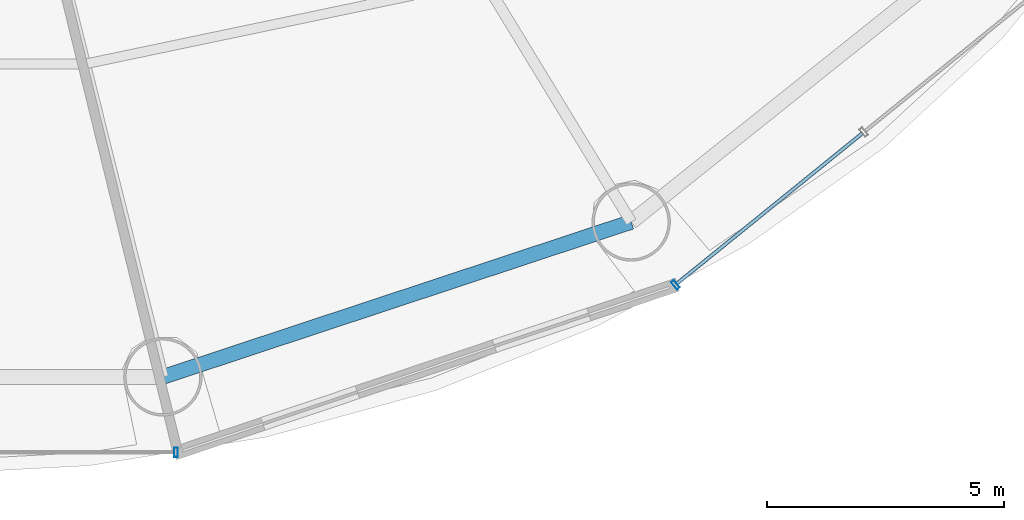
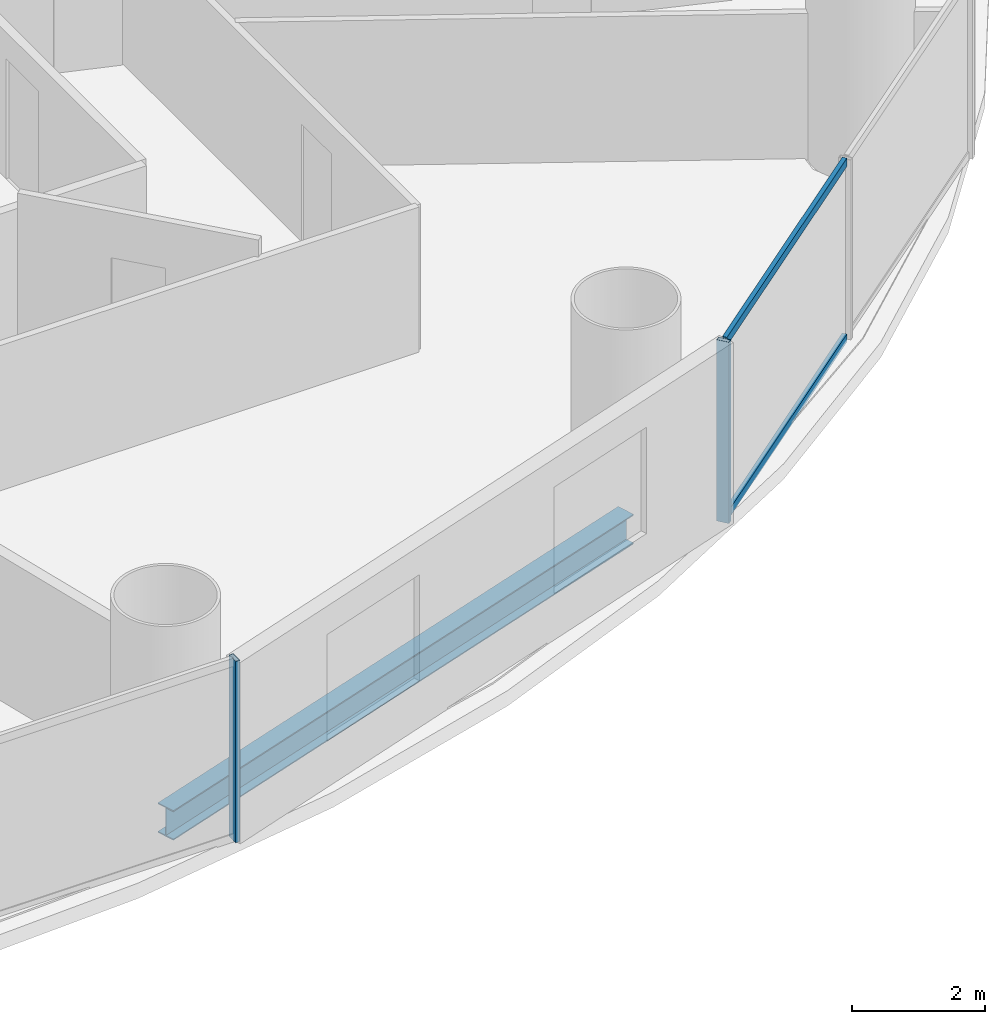
# One storey, part 10 of 29: 4 members, 1 beam, 2 elements without a shape of their own.
"""IFC4 building model written with IfcOpenShell, lengths in metres."""

from ifc_helpers import new_model, si_unit, direction, frame, origin, origin_2d, place, context, subcontext, project, spatial, hollow_rectangle, i_section, extrude, source, transform, mapped, material, material_profile, profile_set, type_object, element, aggregate, save


model = new_model("IFC4")

# Units and contexts
model_context = context("Model", 3, precision=1e-05, world=origin(), true_north=direction((-0.2419218956, 0.970295726276)))
body_context = subcontext(model_context, "Body", "Model", "MODEL_VIEW")
ifc_project = project(units=[si_unit("LENGTHUNIT", "METRE"), si_unit("AREAUNIT", "SQUARE_METRE"), si_unit("VOLUMEUNIT", "CUBIC_METRE"), si_unit("PLANEANGLEUNIT", "RADIAN"), si_unit("MASSUNIT", "GRAM", prefix="KILO")], contexts=[model_context])

# Site, building, storey
site_placement = place(None, origin())
site = spatial("IfcSite", under=ifc_project, at=site_placement, CompositionType="ELEMENT")
building_placement = place(site_placement, origin())
building = spatial("IfcBuilding", under=site, at=building_placement, Name="Cobrevalo Terracotta Tower", CompositionType="ELEMENT")
storey_placement = place(building_placement, frame((0.0, 0.0, 67.199951171875)))
storey = spatial("IfcBuildingStorey", under=building, at=storey_placement, Name="L17", CompositionType="ELEMENT", Elevation=67.199951171875)

# Beam
ifc_material_1 = material(Name="Steel S355", Category="steel")
ifc_material_profile_1 = material_profile(ifc_material_1, i_section(OverallWidth=0.31201171875, OverallDepth=0.54296875, WebThickness=0.0126953125, FlangeThickness=0.020263671875, at=origin_2d()), Name="W 530x150")
ifc_profile_set_1 = profile_set([ifc_material_profile_1], Name="Steel S355")
beam_type = type_object("IfcBeamType", Name="Structural Spandrel W 530x150 (Steel S355)", PredefinedType="SPANDREL", material=ifc_profile_set_1)
beam_placement = place(storey_placement, frame((43.335693359375, 5.369873046875, -0.551513671875), z_axis=(0.949372202648, 0.314153498848, 0.0), x_axis=(-0.314153498848, 0.949372202648, 0.0)))
element("IfcBeam", 1, at=beam_placement, inside=storey, type_object=beam_type, Name="L17 perimeter ring spandrel 13", PredefinedType="SPANDREL", context=body_context, shape_type="SweptSolid", body=[
    extrude(i_section(OverallWidth=0.31201171875, OverallDepth=0.54296875, WebThickness=0.0126953125, FlangeThickness=0.020263671875, at=origin_2d()), origin(), (0.0, 0.0, 1.0), 10.385009765625),
])

# Curtain wall, member
ifc_material_2 = material(Name="Anodized aluminium", Category="aluminium")
curtain_wall_type = type_object("IfcCurtainWallType", Name="Lower-tower unitised acoustic low-E curtain wall CW-U1", PredefinedType="NOTDEFINED", material=ifc_material_2)
curtain_wall_1_placement = place(storey_placement, origin())
curtain_wall_1 = element("IfcCurtainWall", 2, at=curtain_wall_1_placement, inside=storey, type_object=curtain_wall_type, Name="L17 curtain wall CW-L17-S12", PredefinedType="NOTDEFINED")
ifc_material_profile_2 = material_profile(ifc_material_2, hollow_rectangle(XDim=0.074951171875, YDim=0.199951171875, WallThickness=0.0048828125, at=origin_2d()), Name="CWM 75x200")
ifc_profile_set_2 = profile_set([ifc_material_profile_2], Name="Anodized aluminium")
member_type_1 = type_object("IfcMemberType", Name="Lower/mid tower unitised mullion 75x200", PredefinedType="MULLION", material=ifc_profile_set_2)
shared_shape_1 = source(origin(), body_context, "Body", "SweptSolid", [
    extrude(hollow_rectangle(XDim=0.074951171875, YDim=0.199951171875, WallThickness=0.0048828125, at=origin_2d()), origin(), (0.0, 0.0, 1.0), 3.320068359375),
])
member_1_placement = place(storey_placement, frame((43.61181640625, 3.781005859375, 0.0), z_axis=(0.0, 0.0, 1.0), x_axis=(1.0, 0.0, 0.0)))
member_1 = element("IfcMember", 3, at=member_1_placement, type_object=member_type_1, Name="CW-L17-S12 vertical mullion 03", PredefinedType="MULLION", context=body_context, shape_type="MappedRepresentation", body=[
    mapped(shared_shape_1, transform((0.0, 0.0, 0.0), scale=1.0)),
])
aggregate(curtain_wall_1, [member_1])

# Curtain wall, members
curtain_wall_2_placement = place(storey_placement, origin())
curtain_wall_2 = element("IfcCurtainWall", 4, at=curtain_wall_2_placement, inside=storey, type_object=curtain_wall_type, Name="L17 curtain wall CW-L17-S14", PredefinedType="NOTDEFINED")
member_2_placement = place(storey_placement, frame((54.1259765625, 7.310546875, 0.0), z_axis=(0.0, 0.0, 1.0), x_axis=(0.777003153187, 0.629496703675, 0.0)))
member_2 = element("IfcMember", 5, at=member_2_placement, type_object=member_type_1, Name="CW-L17-S14 vertical mullion 01", PredefinedType="MULLION", context=body_context, shape_type="MappedRepresentation", body=[
    mapped(shared_shape_1, transform((0.0, 0.0, 0.0), scale=1.0)),
])
ifc_material_profile_3 = material_profile(ifc_material_2, hollow_rectangle(XDim=0.074951171875, YDim=0.14990234375, WallThickness=0.00439453125, at=origin_2d()), Name="CWT 75x150")
ifc_profile_set_3 = profile_set([ifc_material_profile_3], Name="Anodized aluminium")
member_type_2 = type_object("IfcMemberType", Name="Tower unitised aluminium transom 75x150", PredefinedType="USERDEFINED", material=ifc_profile_set_3)
shared_shape_2 = source(origin(), body_context, "Body", "SweptSolid", [
    extrude(hollow_rectangle(XDim=0.074951171875, YDim=0.14990234375, WallThickness=0.00439453125, at=origin_2d()), origin(), (0.0, 0.0, 1.0), 5.0234375),
])
member_3_placement = place(storey_placement, frame((54.156982421875, 7.335693359375, 0.050048828125), z_axis=(0.777022991593, 0.629472215857, 0.0), x_axis=(-0.629472215857, 0.777022991593, 0.0)))
member_3 = element("IfcMember", 6, at=member_3_placement, type_object=member_type_2, Name="CW-L17-S14 transom B01-T1", ObjectType="TRANSOM", PredefinedType="USERDEFINED", context=body_context, shape_type="MappedRepresentation", body=[
    mapped(shared_shape_2, transform((0.0, 0.0, 0.0), scale=1.0)),
])
member_4_placement = place(storey_placement, frame((54.156982421875, 7.335693359375, 3.27001953125), z_axis=(0.777022991593, 0.629472215857, 0.0), x_axis=(-0.629472215857, 0.777022991593, 0.0)))
member_4 = element("IfcMember", 7, at=member_4_placement, type_object=member_type_2, Name="CW-L17-S14 transom B01-T2", ObjectType="TRANSOM", PredefinedType="USERDEFINED", context=body_context, shape_type="MappedRepresentation", body=[
    mapped(shared_shape_2, transform((0.0, 0.0, 0.0), scale=1.0)),
])
aggregate(curtain_wall_2, [member_2, member_3, member_4])

save(model, "model.ifc")
